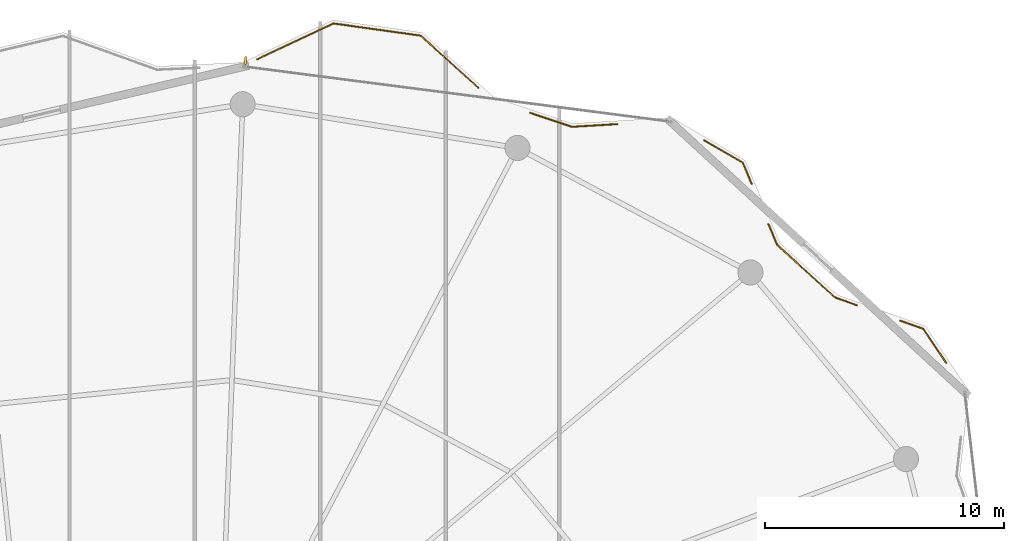
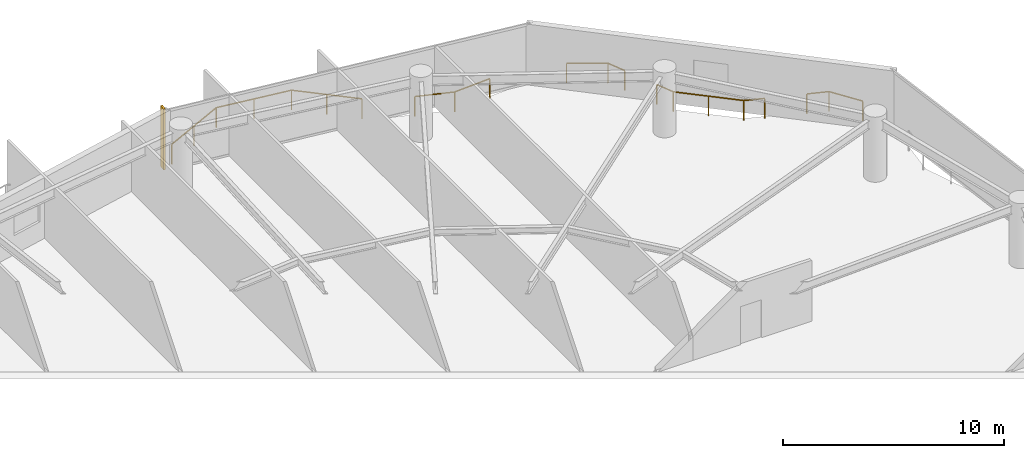
# One storey, part 31 of 31: 5 railings, 1 shading device.
"""IFC4 building model written with IfcOpenShell, lengths in metres."""

from ifc_helpers import new_model, si_unit, direction, frame, origin, origin_2d, place, context, subcontext, project, spatial, rectangle, extrude, material, type_object, element, save


model = new_model("IFC4")

# Units and contexts
model_context = context("Model", 3, precision=1e-05, world=origin(), true_north=direction((0.0, 1.0)))
body_context = subcontext(model_context, "Body", "Model", "MODEL_VIEW")
ifc_project = project(units=[si_unit("LENGTHUNIT", "METRE"), si_unit("AREAUNIT", "SQUARE_METRE"), si_unit("VOLUMEUNIT", "CUBIC_METRE"), si_unit("PLANEANGLEUNIT", "RADIAN"), si_unit("MASSUNIT", "GRAM", prefix="KILO")], contexts=[model_context])

# Site, building, storey
site_placement = place(None, origin())
site = spatial("IfcSite", under=ifc_project, at=site_placement, CompositionType="ELEMENT")
building_placement = place(site_placement, origin())
building = spatial("IfcBuilding", under=site, at=building_placement, Name="Kazevale Care Tower and Concert Hall", CompositionType="ELEMENT")
storey_placement = place(building_placement, frame((0.0, 0.0, 238.800048828125)))
storey = spatial("IfcBuildingStorey", under=building, at=storey_placement, Name="L63", CompositionType="ELEMENT", Elevation=238.800048828125)

# Railings
ifc_material_1 = material(Name="Anodised Bronze Aluminium and Laminated Glass", Category="aluminium")
railing_type = type_object("IfcRailingType", Name="Balcony and Terrace Balustrade 1120", PredefinedType="BALUSTRADE", material=ifc_material_1)
railing_1_placement = place(storey_placement, frame((45.610107421875, 63.931884765625, 0.0)))
element("IfcRailing", 1, at=railing_1_placement, inside=storey, type_object=railing_type, Name="rail:L63:perim:6", PredefinedType="BALUSTRADE", context=body_context, shape_type="SweptSolid", body=[
    extrude(rectangle(XDim=0.048095703125, YDim=0.048095703125, at=origin_2d()), frame((0.0, 0.0, 1.09619140625), z_axis=(0.905100997077, 0.42519664285, 0.0), x_axis=(-0.42519664285, 0.905100997077, 0.0)), (0.0, 0.0, 1.0), 3.525390625),
    extrude(rectangle(XDim=0.048095703125, YDim=0.048095703125, at=origin_2d()), frame((3.19091796875, 1.4990234375, 1.09619140625), z_axis=(0.990362854901, -0.138496987809, 0.0), x_axis=(0.138496987809, 0.990362854901, 0.0)), (0.0, 0.0, 1.0), 3.682373046875),
    extrude(rectangle(XDim=0.048095703125, YDim=0.048095703125, at=origin_2d()), frame((6.837890625, 0.989013671875, 1.09619140625), z_axis=(0.74237767764, -0.669981629407, 0.0), x_axis=(0.669981629407, 0.74237767764, 0.0)), (0.0, 0.0, 1.0), 3.260986328125),
    extrude(rectangle(XDim=0.0419921875, YDim=0.0419921875, at=origin_2d()), origin(), (0.0, 0.0, 1.0), 1.072021484375),
    extrude(rectangle(XDim=0.0419921875, YDim=0.0419921875, at=origin_2d()), frame((1.595458984375, 0.74951171875, 0.0)), (0.0, 0.0, 1.0), 1.072021484375),
    extrude(rectangle(XDim=0.0419921875, YDim=0.0419921875, at=origin_2d()), frame((3.19091796875, 1.4990234375, 0.0)), (0.0, 0.0, 1.0), 1.072021484375),
    extrude(rectangle(XDim=0.0419921875, YDim=0.0419921875, at=origin_2d()), frame((5.014404296875, 1.244140625, 0.0)), (0.0, 0.0, 1.0), 1.072021484375),
    extrude(rectangle(XDim=0.0419921875, YDim=0.0419921875, at=origin_2d()), frame((6.837890625, 0.989013671875, 0.0)), (0.0, 0.0, 1.0), 1.072021484375),
    extrude(rectangle(XDim=0.0419921875, YDim=0.0419921875, at=origin_2d()), frame((8.04833984375, -0.103515625, 0.0)), (0.0, 0.0, 1.0), 1.072021484375),
    extrude(rectangle(XDim=0.0419921875, YDim=0.0419921875, at=origin_2d()), frame((9.2587890625, -1.19580078125, 0.0)), (0.0, 0.0, 1.0), 1.072021484375),
])
railing_2_placement = place(storey_placement, frame((57.032958984375, 61.68994140625, 0.0)))
element("IfcRailing", 2, at=railing_2_placement, inside=storey, type_object=railing_type, Name="rail:L63:perim:7", PredefinedType="BALUSTRADE", context=body_context, shape_type="SweptSolid", body=[
    extrude(rectangle(XDim=0.048095703125, YDim=0.048095703125, at=origin_2d()), frame((0.0, 0.0, 1.09619140625), z_axis=(0.948045105832, -0.318135941554, 0.0), x_axis=(0.318135941554, 0.948045105832, 0.0)), (0.0, 0.0, 1.0), 1.841796875),
    extrude(rectangle(XDim=0.048095703125, YDim=0.048095703125, at=origin_2d()), frame((1.74609375, -0.5859375, 1.09619140625), z_axis=(0.998181354811, 0.060282525723, 0.0), x_axis=(-0.060282525723, 0.998181354811, 0.0)), (0.0, 0.0, 1.0), 1.907470703125),
    extrude(rectangle(XDim=0.0419921875, YDim=0.0419921875, at=origin_2d()), origin(), (0.0, 0.0, 1.0), 1.072021484375),
    extrude(rectangle(XDim=0.0419921875, YDim=0.0419921875, at=origin_2d()), frame((1.74609375, -0.5859375, 0.0)), (0.0, 0.0, 1.0), 1.072021484375),
    extrude(rectangle(XDim=0.0419921875, YDim=0.0419921875, at=origin_2d()), frame((3.650146484375, -0.470947265625, 0.0)), (0.0, 0.0, 1.0), 1.072021484375),
])
railing_3_placement = place(storey_placement, frame((64.31298828125, 60.54296875, 0.0)))
element("IfcRailing", 3, at=railing_3_placement, inside=storey, type_object=railing_type, Name="rail:L63:perim:8", PredefinedType="BALUSTRADE", context=body_context, shape_type="SweptSolid", body=[
    extrude(rectangle(XDim=0.048095703125, YDim=0.048095703125, at=origin_2d()), frame((0.0, 0.0, 1.09619140625), z_axis=(0.863897008105, -0.503668501483, 0.0), x_axis=(0.503668501483, 0.863897008105, 0.0)), (0.0, 0.0, 1.0), 1.8740234375),
    extrude(rectangle(XDim=0.048095703125, YDim=0.048095703125, at=origin_2d()), frame((1.618896484375, -0.94384765625, 1.09619140625), z_axis=(0.384958845263, -0.922933739471, 0.0), x_axis=(0.922933739471, 0.384958845263, 0.0)), (0.0, 0.0, 1.0), 0.958984375),
    extrude(rectangle(XDim=0.0419921875, YDim=0.0419921875, at=origin_2d()), origin(), (0.0, 0.0, 1.0), 1.072021484375),
    extrude(rectangle(XDim=0.0419921875, YDim=0.0419921875, at=origin_2d()), frame((1.618896484375, -0.94384765625, 0.0)), (0.0, 0.0, 1.0), 1.072021484375),
    extrude(rectangle(XDim=0.0419921875, YDim=0.0419921875, at=origin_2d()), frame((1.988037109375, -1.828857421875, 0.0)), (0.0, 0.0, 1.0), 1.072021484375),
])
railing_4_placement = place(storey_placement, frame((67.0029296875, 57.037109375, 0.0)))
element("IfcRailing", 4, at=railing_4_placement, inside=storey, type_object=railing_type, Name="rail:L63:perim:9", PredefinedType="BALUSTRADE", context=body_context, shape_type="SweptSolid", body=[
    extrude(rectangle(XDim=0.048095703125, YDim=0.048095703125, at=origin_2d()), frame((0.0, 0.0, 1.09619140625), z_axis=(0.385400252226, -0.922749503161, 0.0), x_axis=(0.922749503161, 0.385400252226, 0.0)), (0.0, 0.0, 1.0), 0.949462890625),
    extrude(rectangle(XDim=0.048095703125, YDim=0.048095703125, at=origin_2d()), frame((0.365966796875, -0.876220703125, 1.09619140625), z_axis=(0.740453598396, -0.672107482939, 0.0), x_axis=(0.672107482939, 0.740453598396, 0.0)), (0.0, 0.0, 1.0), 3.2685546875),
    extrude(rectangle(XDim=0.048095703125, YDim=0.048095703125, at=origin_2d()), frame((2.7861328125, -3.072998046875, 1.09619140625), z_axis=(0.941931266787, -0.33580573052, 0.0), x_axis=(0.33580573052, 0.941931266787, 0.0)), (0.0, 0.0, 1.0), 0.9619140625),
    extrude(rectangle(XDim=0.0419921875, YDim=0.0419921875, at=origin_2d()), origin(), (0.0, 0.0, 1.0), 1.072021484375),
    extrude(rectangle(XDim=0.0419921875, YDim=0.0419921875, at=origin_2d()), frame((0.365966796875, -0.876220703125, 0.0)), (0.0, 0.0, 1.0), 1.072021484375),
    extrude(rectangle(XDim=0.0419921875, YDim=0.0419921875, at=origin_2d()), frame((1.576171875, -1.974609375, 0.0)), (0.0, 0.0, 1.0), 1.072021484375),
    extrude(rectangle(XDim=0.0419921875, YDim=0.0419921875, at=origin_2d()), frame((2.7861328125, -3.072998046875, 0.0)), (0.0, 0.0, 1.0), 1.072021484375),
    extrude(rectangle(XDim=0.0419921875, YDim=0.0419921875, at=origin_2d()), frame((3.692138671875, -3.39599609375, 0.0)), (0.0, 0.0, 1.0), 1.072021484375),
])
railing_5_placement = place(storey_placement, frame((72.527099609375, 52.989013671875, 0.0)))
element("IfcRailing", 5, at=railing_5_placement, inside=storey, type_object=railing_type, Name="rail:L63:perim:10", PredefinedType="BALUSTRADE", context=body_context, shape_type="SweptSolid", body=[
    extrude(rectangle(XDim=0.048095703125, YDim=0.048095703125, at=origin_2d()), frame((0.0, 0.0, 1.09619140625), z_axis=(0.941882879888, -0.335941424319, 0.0), x_axis=(0.335941424319, 0.941882879888, 0.0)), (0.0, 0.0, 1.0), 1.01806640625),
    extrude(rectangle(XDim=0.048095703125, YDim=0.048095703125, at=origin_2d()), frame((0.958984375, -0.342041015625, 1.09619140625), z_axis=(0.558028145129, -0.829822022631, 0.0), x_axis=(0.829822022631, 0.558028145129, 0.0)), (0.0, 0.0, 1.0), 1.70751953125),
    extrude(rectangle(XDim=0.0419921875, YDim=0.0419921875, at=origin_2d()), origin(), (0.0, 0.0, 1.0), 1.072021484375),
    extrude(rectangle(XDim=0.0419921875, YDim=0.0419921875, at=origin_2d()), frame((0.958984375, -0.342041015625, 0.0)), (0.0, 0.0, 1.0), 1.072021484375),
    extrude(rectangle(XDim=0.0419921875, YDim=0.0419921875, at=origin_2d()), frame((1.911865234375, -1.759033203125, 0.0)), (0.0, 0.0, 1.0), 1.072021484375),
])

# Shading device
ifc_material_2 = material(Name="Anodised Bronze Aluminium", Category="aluminium")
shading_device_type = type_object("IfcShadingDeviceType", Name="Waist Anodised Bronze-Stone Fin FIN-02", PredefinedType="USERDEFINED", material=ifc_material_2)
shading_device_placement = place(storey_placement, frame((45.116455078125, 63.870849609375, 0.0), z_axis=(0.0, 0.0, 1.0), x_axis=(0.128103248172, 0.991760837, 0.0)))
element("IfcShadingDevice", 6, at=shading_device_placement, inside=storey, type_object=shading_device_type, Name="cw:L63:f16:fin", ObjectType="FIN", PredefinedType="USERDEFINED", context=body_context, shape_type="SweptSolid", body=[
    extrude(rectangle(XDim=0.340087890625, YDim=0.10009765625, at=origin_2d()), origin(), (0.0, 0.0, 1.0), 3.360107421875),
])

save(model, "model.ifc")
